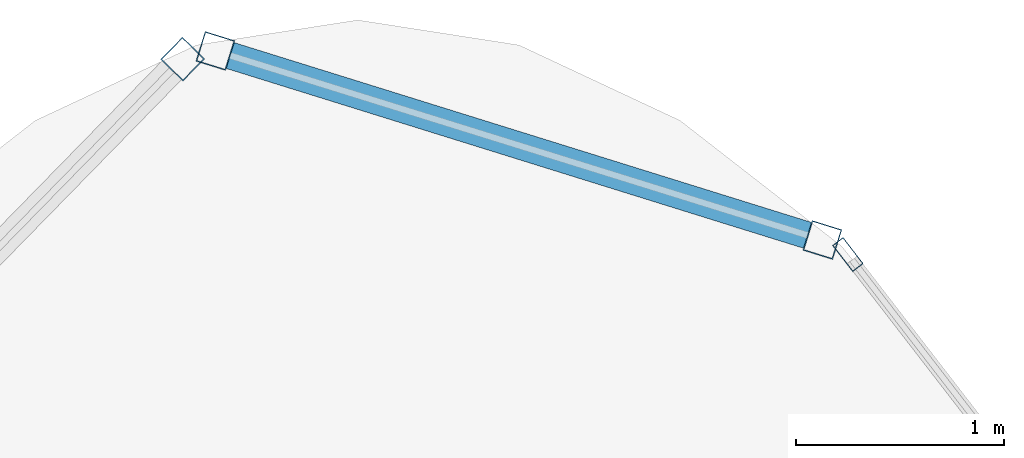
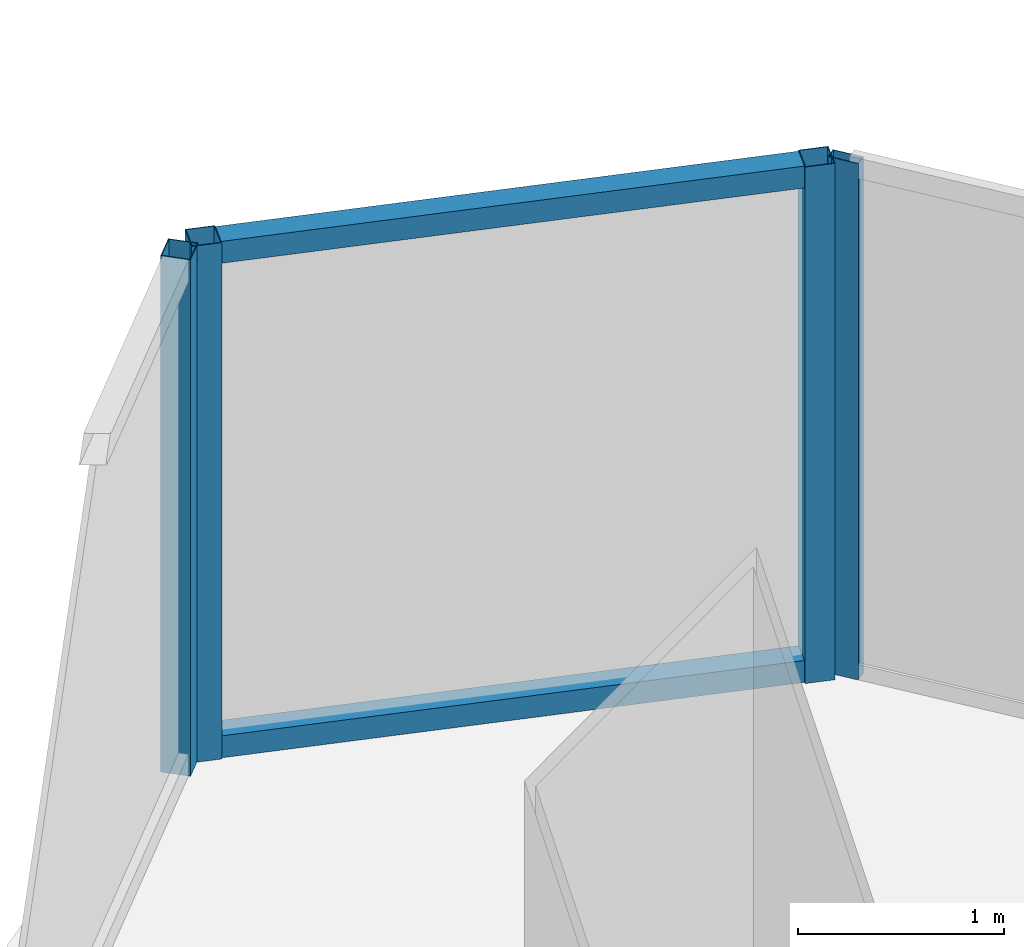
# One storey, part 23 of 29: 6 members, 3 elements without a shape of their own.
"""IFC4 building model written with IfcOpenShell, lengths in metres."""

from ifc_helpers import new_model, si_unit, direction, frame, origin, origin_2d, place, context, subcontext, project, spatial, hollow_rectangle, extrude, material, layer, layer_set, material_profile, profile_set, type_object, element, aggregate, save


model = new_model("IFC4")

# Units and contexts
model_context = context("Model", 3, precision=1e-05, world=origin(), true_north=direction((0.0, 1.0)))
body_context = subcontext(model_context, "Body", "Model", "MODEL_VIEW")
ifc_project = project(units=[si_unit("LENGTHUNIT", "METRE"), si_unit("AREAUNIT", "SQUARE_METRE"), si_unit("VOLUMEUNIT", "CUBIC_METRE"), si_unit("PLANEANGLEUNIT", "RADIAN"), si_unit("MASSUNIT", "GRAM", prefix="KILO")], contexts=[model_context])

# Site, building, storey
site_placement = place(None, origin())
site = spatial("IfcSite", under=ifc_project, at=site_placement, CompositionType="ELEMENT")
building_placement = place(site_placement, origin())
building = spatial("IfcBuilding", under=site, at=building_placement, Name="Orvanel Arch Residences", CompositionType="ELEMENT")
storey_placement = place(building_placement, frame((0.0, 0.0, 246.949951171875)))
storey = spatial("IfcBuildingStorey", under=building, at=storey_placement, Name="L70", CompositionType="ELEMENT", Elevation=246.949951171875)

# Curtain wall, members
ifc_material = material(Name="Bronze-anodised aluminium AA6063-T6", Category="aluminium")
ifc_layer_1 = layer(ifc_material, 0.18994140625)
ifc_layer_set_1 = layer_set([ifc_layer_1], Name="Bronze-anodised aluminium AA6063-T6")
curtain_wall_type_1 = type_object("IfcCurtainWallType", Name="CW5-CRN-SYS", PredefinedType="NOTDEFINED", material=ifc_layer_set_1)
curtain_wall_1_placement = place(storey_placement, origin())
curtain_wall_1 = element("IfcCurtainWall", 1, at=curtain_wall_1_placement, inside=storey, type_object=curtain_wall_type_1, Name="L70 CW5-CRN-SYS Unitised Curtain Wall", PredefinedType="NOTDEFINED")
ifc_material_profile_1 = material_profile(ifc_material, hollow_rectangle(XDim=0.14990234375, YDim=0.14990234375, WallThickness=0.0048828125, at=origin_2d()), Name="ALU150x150x5")
ifc_profile_set_1 = profile_set([ifc_material_profile_1], Name="Bronze-anodised aluminium AA6063-T6")
member_type_1 = type_object("IfcMemberType", Name="MUL-150x150", PredefinedType="MULLION", material=ifc_profile_set_1)
member_1_placement = place(storey_placement, frame((35.23046875, 44.2001953125, 0.0), z_axis=(0.0, 0.0, 1.0), x_axis=(-0.297332318759, -0.954774052968, 0.0)))
member_1 = element("IfcMember", 2, at=member_1_placement, type_object=member_type_1, Name="CW-S5 mullion 1", PredefinedType="MULLION", context=body_context, shape_type="SweptSolid", body=[
    extrude(hollow_rectangle(XDim=0.14990234375, YDim=0.14990234375, WallThickness=0.0048828125, at=origin_2d()), origin(), (0.0, 0.0, 1.0), 3.06005859375),
])
member_2_placement = place(storey_placement, frame((32.316650390625, 45.107666015625, 0.0), z_axis=(0.0, 0.0, 1.0), x_axis=(-0.297332318759, -0.954774052968, 0.0)))
member_2 = element("IfcMember", 3, at=member_2_placement, type_object=member_type_1, Name="CW-S5 mullion 2", PredefinedType="MULLION", context=body_context, shape_type="SweptSolid", body=[
    extrude(hollow_rectangle(XDim=0.14990234375, YDim=0.14990234375, WallThickness=0.0048828125, at=origin_2d()), origin(), (0.0, 0.0, 1.0), 3.06005859375),
])

# Curtain wall, member
curtain_wall_2_placement = place(storey_placement, origin())
curtain_wall_2 = element("IfcCurtainWall", 4, at=curtain_wall_2_placement, inside=storey, type_object=curtain_wall_type_1, Name="L70 CW5-CRN-SYS Unitised Curtain Wall", PredefinedType="NOTDEFINED")
member_3_placement = place(storey_placement, frame((32.15966796875, 45.068359375, 0.0), z_axis=(0.0, 0.0, 1.0), x_axis=(0.71514941275, -0.69897161419, 0.0)))
member_3 = element("IfcMember", 5, at=member_3_placement, type_object=member_type_1, Name="CW-S5 mullion 1", PredefinedType="MULLION", context=body_context, shape_type="SweptSolid", body=[
    extrude(hollow_rectangle(XDim=0.14990234375, YDim=0.14990234375, WallThickness=0.0048828125, at=origin_2d()), origin(), (0.0, 0.0, 1.0), 3.06005859375),
])
aggregate(curtain_wall_2, [member_3])

ifc_layer_2 = layer(ifc_material, 0.175048828125)
ifc_layer_set_2 = layer_set([ifc_layer_2], Name="Bronze-anodised aluminium AA6063-T6")
curtain_wall_type_2 = type_object("IfcCurtainWallType", Name="CW4-HI-SYS", PredefinedType="NOTDEFINED", material=ifc_layer_set_2)
curtain_wall_3_placement = place(storey_placement, origin())
curtain_wall_3 = element("IfcCurtainWall", 6, at=curtain_wall_3_placement, inside=storey, type_object=curtain_wall_type_2, Name="L70 CW4-HI-SYS Unitised Curtain Wall", PredefinedType="NOTDEFINED")
ifc_material_profile_2 = material_profile(ifc_material, hollow_rectangle(XDim=0.06494140625, YDim=0.159912109375, WallThickness=0.00390625, at=origin_2d()), Name="ALU160x65x4")
ifc_profile_set_2 = profile_set([ifc_material_profile_2], Name="Bronze-anodised aluminium AA6063-T6")
member_type_2 = type_object("IfcMemberType", Name="MUL-160x65", PredefinedType="MULLION", material=ifc_profile_set_2)
member_4_placement = place(storey_placement, frame((35.352783203125, 44.13037109375, 0.0), z_axis=(0.0, 0.0, 1.0), x_axis=(-0.791477630276, -0.611198135446, 0.0)))
member_4 = element("IfcMember", 7, at=member_4_placement, type_object=member_type_2, Name="CW-S4 mullion 3", PredefinedType="MULLION", context=body_context, shape_type="SweptSolid", body=[
    extrude(hollow_rectangle(XDim=0.06494140625, YDim=0.159912109375, WallThickness=0.00390625, at=origin_2d()), origin(), (0.0, 0.0, 1.0), 3.06005859375),
])
aggregate(curtain_wall_3, [member_4])

# Member
ifc_material_profile_3 = material_profile(ifc_material, hollow_rectangle(XDim=0.1298828125, YDim=0.1298828125, WallThickness=0.00439453125, at=origin_2d()), Name="ALU130x130x4.5")
ifc_profile_set_3 = profile_set([ifc_material_profile_3], Name="Bronze-anodised aluminium AA6063-T6")
member_type_3 = type_object("IfcMemberType", Name="TRN-130x130", PredefinedType="USERDEFINED", material=ifc_profile_set_3)
member_5_placement = place(storey_placement, frame((35.15869140625, 44.22265625, 0.06494140625), z_axis=(-0.954772943491, 0.297335881415, 0.0), x_axis=(-0.297335881415, -0.954772943491, 0.0)))
member_5 = element("IfcMember", 8, at=member_5_placement, type_object=member_type_3, Name="CW-S5 transom 1.1", ObjectType="TRANSOM", PredefinedType="USERDEFINED", context=body_context, shape_type="SweptSolid", body=[
    extrude(hollow_rectangle(XDim=0.1298828125, YDim=0.1298828125, WallThickness=0.00439453125, at=origin_2d()), origin(), (0.0, 0.0, 1.0), 2.90185546875),
])

member_6_placement = place(storey_placement, frame((35.15869140625, 44.22265625, 2.9951171875), z_axis=(-0.954772943491, 0.297335881415, 0.0), x_axis=(-0.297335881415, -0.954772943491, 0.0)))
member_6 = element("IfcMember", 9, at=member_6_placement, type_object=member_type_3, Name="CW-S5 transom 1.2", ObjectType="TRANSOM", PredefinedType="USERDEFINED", context=body_context, shape_type="SweptSolid", body=[
    extrude(hollow_rectangle(XDim=0.1298828125, YDim=0.1298828125, WallThickness=0.00439453125, at=origin_2d()), origin(), (0.0, 0.0, 1.0), 2.90185546875),
])

aggregate(curtain_wall_1, [member_1, member_2, member_5, member_6])

save(model, "model.ifc")
